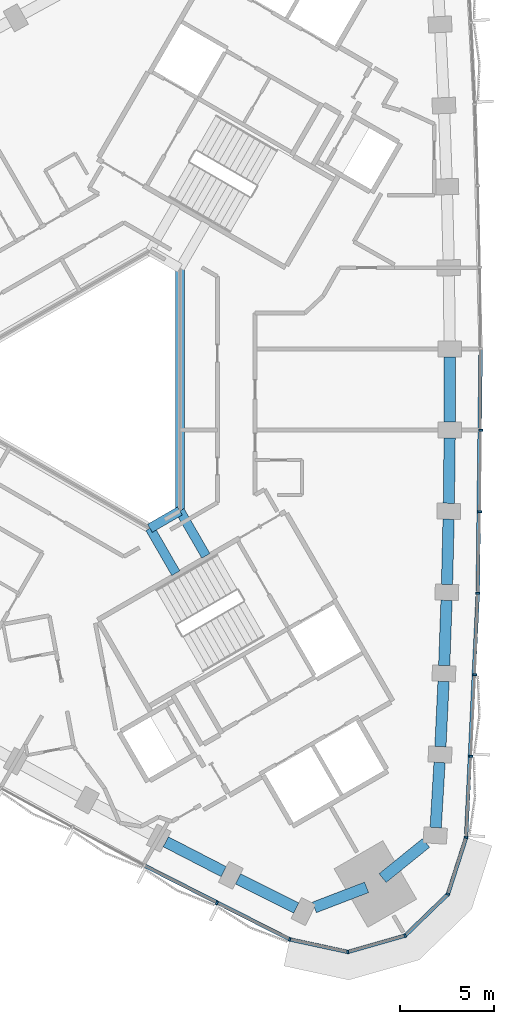
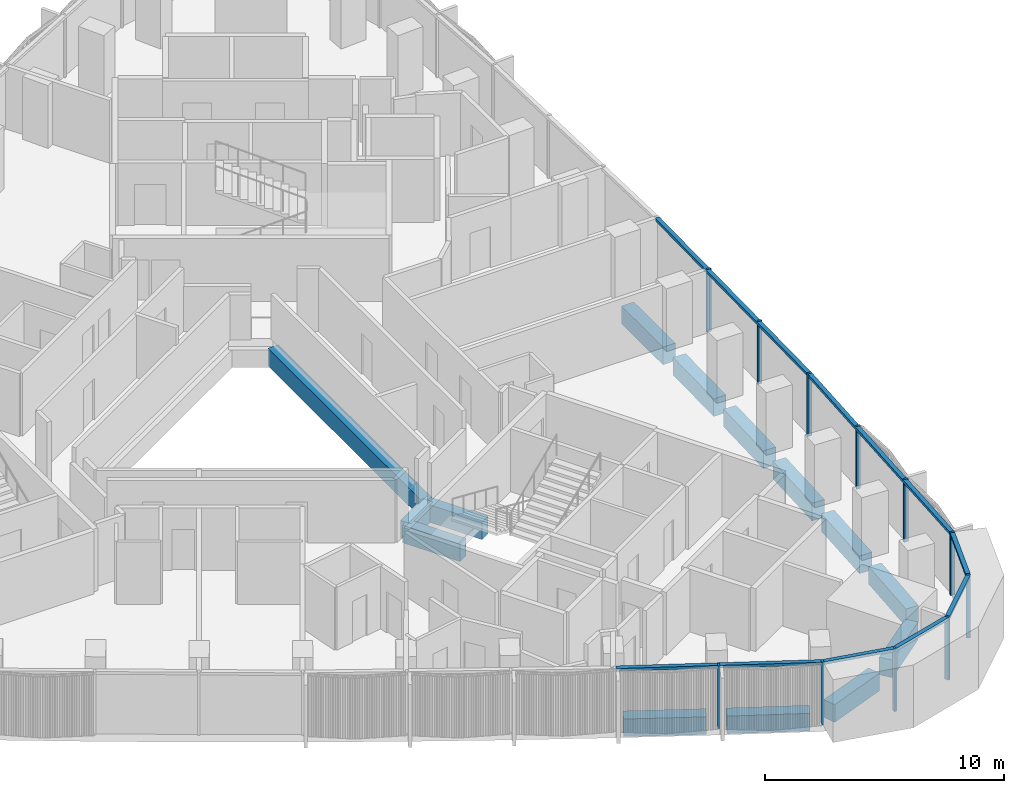
# One storey, part 3 of 15: 18 members, 14 beams, 2 elements without a shape of their own.
"""IFC4 building model written with IfcOpenShell, lengths in metres."""

from ifc_helpers import new_model, si_unit, direction, frame, origin, origin_2d, place, context, subcontext, project, spatial, rectangle, extrude, material, material_profile, profile_set, type_object, element, aggregate, save


model = new_model("IFC4")

# Units and contexts
model_context = context("Model", 3, precision=1e-05, world=origin(), true_north=direction((0.0, 1.0)))
body_context = subcontext(model_context, "Body", "Model", "MODEL_VIEW")
ifc_project = project(units=[si_unit("LENGTHUNIT", "METRE"), si_unit("AREAUNIT", "SQUARE_METRE"), si_unit("VOLUMEUNIT", "CUBIC_METRE"), si_unit("PLANEANGLEUNIT", "RADIAN"), si_unit("MASSUNIT", "GRAM", prefix="KILO")], contexts=[model_context])

# Site, building, storey
site_placement = place(None, origin())
site = spatial("IfcSite", under=ifc_project, at=site_placement, CompositionType="ELEMENT")
building_placement = place(site_placement, origin())
building = spatial("IfcBuilding", under=site, at=building_placement, Name="Tamra Quay Hotel Tower", CompositionType="ELEMENT")
storey_placement = place(building_placement, frame((0.0, 0.0, 136.0)))
storey = spatial("IfcBuildingStorey", under=building, at=storey_placement, Name="L33", CompositionType="ELEMENT", Elevation=136.0)

# Beams
ifc_material_1 = material(Name="Concrete M60", Category="concrete")
ifc_material_profile_1 = material_profile(ifc_material_1, rectangle(XDim=0.5, YDim=0.89990234375, at=origin_2d()), Name="ATRIUM EDGE BEAM RC 500x900")
ifc_profile_set_1 = profile_set([ifc_material_profile_1], Name="Concrete M60")
beam_type_1 = type_object("IfcBeamType", Name="ATRIUM EDGE BEAM RC 500x900", PredefinedType="BEAM", material=ifc_profile_set_1)
beam_1_placement = place(storey_placement, frame((4.800048828125, 6.46630859375, -0.85009765625), z_axis=(0.0, -1.0, 0.0), x_axis=(1.0, 0.0, 0.0)))
element("IfcBeam", 1, at=beam_1_placement, inside=storey, type_object=beam_type_1, Name="BM-AB0-L33", PredefinedType="BEAM", context=body_context, shape_type="SweptSolid", body=[
    extrude(rectangle(XDim=0.5, YDim=0.89990234375, at=origin_2d()), origin(), (0.0, 0.0, 1.0), 12.9326171875),
])
beam_2_placement = place(storey_placement, frame((4.800048828125, -6.46630859375, -0.85009765625), z_axis=(-0.86602275259, -0.500004591975, 0.0), x_axis=(0.500004591975, -0.86602275259, 0.0)))
element("IfcBeam", 2, at=beam_2_placement, inside=storey, type_object=beam_type_1, Name="BM-AB1-L33", PredefinedType="BEAM", context=body_context, shape_type="SweptSolid", body=[
    extrude(rectangle(XDim=0.5, YDim=0.89990234375, at=origin_2d()), origin(), (0.0, 0.0, 1.0), 1.84765625),
])
ifc_material_profile_2 = material_profile(ifc_material_1, rectangle(XDim=0.5, YDim=0.89990234375, at=origin_2d()), Name="ATRIUM TIE BEAM RC 500x900")
ifc_profile_set_2 = profile_set([ifc_material_profile_2], Name="Concrete M60")
beam_type_2 = type_object("IfcBeamType", Name="ATRIUM TIE BEAM RC 500x900", PredefinedType="BEAM", material=ifc_profile_set_2)
for number, where, z_axis, x_axis, name in (
    (3, (4.800048828125, -6.46630859375, -0.85009765625), (0.500008091576, -0.86602073206, 0.0), (0.86602073206, 0.500008091576, 0.0), "BM-TIE-1-L33"),
    (4, (3.199951171875, -7.39013671875, -0.85009765625), (0.500008091576, -0.86602073206, 0.0), (0.86602073206, 0.500008091576, 0.0), "BM-TIE-2-L33"),
):
    element("IfcBeam", number, at=place(storey_placement, frame(where, z_axis=z_axis, x_axis=x_axis)), inside=storey, type_object=beam_type_2, Name=name, PredefinedType="BEAM", context=body_context, shape_type="SweptSolid", body=[
        extrude(rectangle(XDim=0.5, YDim=0.89990234375, at=origin_2d()), origin(), (0.0, 0.0, 1.0), 2.76220703125),
    ])

# Curtain wall, members
ifc_material_2 = material(Name="Aluminium 6063 anodised dark grey", Category="aluminium")
curtain_wall_type_1 = type_object("IfcCurtainWallType", Name="CW1 CURTAIN WALL", PredefinedType="NOTDEFINED", material=ifc_material_2)
curtain_wall_1_placement = place(storey_placement, origin())
curtain_wall_1 = element("IfcCurtainWall", 5, at=curtain_wall_1_placement, inside=storey, type_object=curtain_wall_type_1, Name="CW1 east face L33", PredefinedType="NOTDEFINED")
ifc_material_profile_3 = material_profile(ifc_material_2, rectangle(XDim=0.199951171875, YDim=0.10009765625, at=origin_2d()), Name="MULLION 100X200")
ifc_profile_set_3 = profile_set([ifc_material_profile_3], Name="Aluminium 6063 anodised dark grey")
member_type_1 = type_object("IfcMemberType", Name="MULLION CW1 Z3", PredefinedType="MULLION", material=ifc_profile_set_3)
member_1_placement = place(storey_placement, frame((20.042236328125, -23.864990234375, 0.0), z_axis=(0.0, 0.0, 1.0), x_axis=(0.982883191402, -0.184229834881, 0.0)))
member_1 = element("IfcMember", 6, at=member_1_placement, type_object=member_type_1, Name="CW1 mullion L33.E.1", PredefinedType="MULLION", context=body_context, shape_type="SweptSolid", body=[
    extrude(rectangle(XDim=0.199951171875, YDim=0.10009765625, at=origin_2d()), origin(), (0.0, 0.0, 1.0), 3.199951171875),
])
member_2_placement = place(storey_placement, frame((20.301025390625, -19.53076171875, 0.0), z_axis=(0.0, 0.0, 1.0), x_axis=(0.998557357992, -0.053695463492, 0.0)))
member_2 = element("IfcMember", 7, at=member_2_placement, type_object=member_type_1, Name="CW1 mullion L33.E.2", PredefinedType="MULLION", context=body_context, shape_type="SweptSolid", body=[
    extrude(rectangle(XDim=0.199951171875, YDim=0.10009765625, at=origin_2d()), origin(), (0.0, 0.0, 1.0), 3.199951171875),
])
member_3_placement = place(storey_placement, frame((20.50830078125, -15.19384765625, 0.0), z_axis=(0.0, 0.0, 1.0), x_axis=(0.999126133482, -0.041796762943, 0.0)))
member_3 = element("IfcMember", 8, at=member_3_placement, type_object=member_type_1, Name="CW1 mullion L33.E.3", PredefinedType="MULLION", context=body_context, shape_type="SweptSolid", body=[
    extrude(rectangle(XDim=0.199951171875, YDim=0.10009765625, at=origin_2d()), origin(), (0.0, 0.0, 1.0), 3.199951171875),
])
member_4_placement = place(storey_placement, frame((20.6640625, -10.85400390625, 0.0), z_axis=(0.0, 0.0, 1.0), x_axis=(0.999553759324, -0.029871093397, 0.0)))
member_4 = element("IfcMember", 9, at=member_4_placement, type_object=member_type_1, Name="CW1 mullion L33.E.4", PredefinedType="MULLION", context=body_context, shape_type="SweptSolid", body=[
    extrude(rectangle(XDim=0.199951171875, YDim=0.10009765625, at=origin_2d()), origin(), (0.0, 0.0, 1.0), 3.199951171875),
])
member_5_placement = place(storey_placement, frame((20.767822265625, -6.5126953125, 0.0), z_axis=(0.0, 0.0, 1.0), x_axis=(0.999839299777, -0.017926924493, 0.0)))
member_5 = element("IfcMember", 10, at=member_5_placement, type_object=member_type_1, Name="CW1 mullion L33.E.5", PredefinedType="MULLION", context=body_context, shape_type="SweptSolid", body=[
    extrude(rectangle(XDim=0.199951171875, YDim=0.10009765625, at=origin_2d()), origin(), (0.0, 0.0, 1.0), 3.199951171875),
])
member_6_placement = place(storey_placement, frame((20.81982421875, -2.17138671875, 0.0), z_axis=(0.0, 0.0, 1.0), x_axis=(0.99998212789, -0.005978620244, 0.0)))
member_6 = element("IfcMember", 11, at=member_6_placement, type_object=member_type_1, Name="CW1 mullion L33.E.6", PredefinedType="MULLION", context=body_context, shape_type="SweptSolid", body=[
    extrude(rectangle(XDim=0.199951171875, YDim=0.10009765625, at=origin_2d()), origin(), (0.0, 0.0, 1.0), 3.199951171875),
])

curtain_wall_type_2 = type_object("IfcCurtainWallType", Name="CW3 CURTAIN WALL", PredefinedType="NOTDEFINED", material=ifc_material_2)
curtain_wall_2_placement = place(storey_placement, origin())
curtain_wall_2 = element("IfcCurtainWall", 12, at=curtain_wall_2_placement, inside=storey, type_object=curtain_wall_type_2, Name="CW3 south-west face L33", PredefinedType="NOTDEFINED")
ifc_material_profile_4 = material_profile(ifc_material_2, rectangle(XDim=0.199951171875, YDim=0.10009765625, at=origin_2d()), Name="MULLION 100X200")
ifc_profile_set_4 = profile_set([ifc_material_profile_4], Name="Aluminium 6063 anodised dark grey")
member_type_2 = type_object("IfcMemberType", Name="MULLION CW3 Z3", PredefinedType="MULLION", material=ifc_profile_set_4)
member_7_placement = place(storey_placement, frame((6.763427734375, -27.3466796875, 0.0), z_axis=(0.0, 0.0, 1.0), x_axis=(-0.452777043544, -0.891623770903, 0.0)))
member_7 = element("IfcMember", 13, at=member_7_placement, type_object=member_type_2, Name="CW3 mullion L33.SW.11", PredefinedType="MULLION", context=body_context, shape_type="SweptSolid", body=[
    extrude(rectangle(XDim=0.199951171875, YDim=0.10009765625, at=origin_2d()), origin(), (0.0, 0.0, 1.0), 3.199951171875),
])
member_8_placement = place(storey_placement, frame((10.646728515625, -29.28955078125, 0.0), z_axis=(0.0, 0.0, 1.0), x_axis=(-0.331893878559, -0.943316730147, 0.0)))
member_8 = element("IfcMember", 14, at=member_8_placement, type_object=member_type_2, Name="CW3 mullion L33.SW.12", PredefinedType="MULLION", context=body_context, shape_type="SweptSolid", body=[
    extrude(rectangle(XDim=0.199951171875, YDim=0.10009765625, at=origin_2d()), origin(), (0.0, 0.0, 1.0), 3.199951171875),
])
member_9_placement = place(storey_placement, frame((13.74560546875, -29.958740234375, 0.0), z_axis=(0.0, 0.0, 1.0), x_axis=(0.032727311619, -0.99946431806, 0.0)))
member_9 = element("IfcMember", 15, at=member_9_placement, type_object=member_type_2, Name="CW3 mullion L33.SW.13", PredefinedType="MULLION", context=body_context, shape_type="SweptSolid", body=[
    extrude(rectangle(XDim=0.199951171875, YDim=0.10009765625, at=origin_2d()), origin(), (0.0, 0.0, 1.0), 3.199951171875),
])
member_10_placement = place(storey_placement, frame((16.794189453125, -29.088134765625, 0.0), z_axis=(0.0, 0.0, 1.0), x_axis=(0.5, -0.866025403784, 0.0)))
member_10 = element("IfcMember", 16, at=member_10_placement, type_object=member_type_2, Name="CW3 mullion L33.SW.14", PredefinedType="MULLION", context=body_context, shape_type="SweptSolid", body=[
    extrude(rectangle(XDim=0.199951171875, YDim=0.10009765625, at=origin_2d()), origin(), (0.0, 0.0, 1.0), 3.199951171875),
])
member_11_placement = place(storey_placement, frame((19.072265625, -26.883544921875, 0.0), z_axis=(0.0, 0.0, 1.0), x_axis=(0.849197833806, -0.52807484229, 0.0)))
member_11 = element("IfcMember", 17, at=member_11_placement, type_object=member_type_2, Name="CW3 mullion L33.SW.15", PredefinedType="MULLION", context=body_context, shape_type="SweptSolid", body=[
    extrude(rectangle(XDim=0.199951171875, YDim=0.10009765625, at=origin_2d()), origin(), (0.0, 0.0, 1.0), 3.199951171875),
])

# Beams
ifc_material_profile_5 = material_profile(ifc_material_1, rectangle(XDim=0.60009765625, YDim=0.89990234375, at=origin_2d()), Name="SPANDREL BEAM RC 600x900")
ifc_profile_set_5 = profile_set([ifc_material_profile_5], Name="Concrete M60")
beam_type_3 = type_object("IfcBeamType", Name="SPANDREL BEAM RC 600x900", PredefinedType="SPANDREL", material=ifc_profile_set_5)
beam_3_placement = place(storey_placement, frame((18.422119140625, -23.3330078125, -0.85009765625), z_axis=(0.059620475238, 0.998221117254, 0.0), x_axis=(-0.998221117254, 0.059620475238, 0.0)))
element("IfcBeam", 18, at=beam_3_placement, inside=storey, type_object=beam_type_3, Name="BM-SP3-000-L33", PredefinedType="SPANDREL", context=body_context, shape_type="SweptSolid", body=[
    extrude(rectangle(XDim=0.60009765625, YDim=0.89990234375, at=origin_2d()), origin(), (0.0, 0.0, 1.0), 3.472412109375),
])
beam_4_placement = place(storey_placement, frame((18.6748046875, -19.017822265625, -0.85009765625), z_axis=(0.047732145575, 0.998860171535, 0.0), x_axis=(-0.998860171535, 0.047732145575, 0.0)))
element("IfcBeam", 19, at=beam_4_placement, inside=storey, type_object=beam_type_3, Name="BM-SP3-001-L33", PredefinedType="SPANDREL", context=body_context, shape_type="SweptSolid", body=[
    extrude(rectangle(XDim=0.60009765625, YDim=0.89990234375, at=origin_2d()), origin(), (0.0, 0.0, 1.0), 3.472900390625),
])
beam_5_placement = place(storey_placement, frame((18.876220703125, -14.69970703125, -0.85009765625), z_axis=(0.035786826945, 0.999359446354, 0.0), x_axis=(-0.999359446354, 0.035786826945, 0.0)))
element("IfcBeam", 20, at=beam_5_placement, inside=storey, type_object=beam_type_3, Name="BM-SP3-002-L33", PredefinedType="SPANDREL", context=body_context, shape_type="SweptSolid", body=[
    extrude(rectangle(XDim=0.60009765625, YDim=0.89990234375, at=origin_2d()), origin(), (0.0, 0.0, 1.0), 3.472412109375),
])
beam_6_placement = place(storey_placement, frame((19.02587890625, -10.3798828125, -0.85009765625), z_axis=(0.023906514803, 0.999714198434, 0.0), x_axis=(-0.999714198434, 0.023906514803, 0.0)))
element("IfcBeam", 21, at=beam_6_placement, inside=storey, type_object=beam_type_3, Name="BM-SP3-003-L33", PredefinedType="SPANDREL", context=body_context, shape_type="SweptSolid", body=[
    extrude(rectangle(XDim=0.60009765625, YDim=0.89990234375, at=origin_2d()), origin(), (0.0, 0.0, 1.0), 3.47216796875),
])
beam_7_placement = place(storey_placement, frame((19.124267578125, -6.05859375, -0.85009765625), z_axis=(0.011951617666, 0.999928576867, 0.0), x_axis=(-0.999928576867, 0.011951617666, 0.0)))
element("IfcBeam", 22, at=beam_7_placement, inside=storey, type_object=beam_type_3, Name="BM-SP3-004-L33", PredefinedType="SPANDREL", context=body_context, shape_type="SweptSolid", body=[
    extrude(rectangle(XDim=0.60009765625, YDim=0.89990234375, at=origin_2d()), origin(), (0.0, 0.0, 1.0), 3.47265625),
])
beam_8_placement = place(storey_placement, frame((19.1708984375, -1.736083984375, -0.85009765625), z_axis=(0.0, 1.0, 0.0), x_axis=(-1.0, 0.0, 0.0)))
element("IfcBeam", 23, at=beam_8_placement, inside=storey, type_object=beam_type_3, Name="BM-SP3-005-L33", PredefinedType="SPANDREL", context=body_context, shape_type="SweptSolid", body=[
    extrude(rectangle(XDim=0.60009765625, YDim=0.89990234375, at=origin_2d()), origin(), (0.0, 0.0, 1.0), 3.47216796875),
])
beam_9_placement = place(storey_placement, frame((4.04541015625, -24.0908203125, -0.85009765625), z_axis=(0.888919913451, -0.458062645792, 0.0), x_axis=(0.458062645792, 0.888919913451, 0.0)))
element("IfcBeam", 24, at=beam_9_placement, inside=storey, type_object=beam_type_3, Name="BM-SP3-035-L33", PredefinedType="SPANDREL", context=body_context, shape_type="SweptSolid", body=[
    extrude(rectangle(XDim=0.60009765625, YDim=0.89990234375, at=origin_2d()), origin(), (0.0, 0.0, 1.0), 3.472900390625),
])
beam_10_placement = place(storey_placement, frame((7.890380859375, -26.066650390625, -0.85009765625), z_axis=(0.894314670292, -0.447438566174, 0.0), x_axis=(0.447438566174, 0.894314670292, 0.0)))
element("IfcBeam", 25, at=beam_10_placement, inside=storey, type_object=beam_type_3, Name="BM-SP3-036-L33", PredefinedType="SPANDREL", context=body_context, shape_type="SweptSolid", body=[
    extrude(rectangle(XDim=0.60009765625, YDim=0.89990234375, at=origin_2d()), origin(), (0.0, 0.0, 1.0), 3.472412109375),
])
beam_11_placement = place(storey_placement, frame((11.960693359375, -27.586181640625, -0.85009765625), z_axis=(0.933527198951, 0.358506581278, 0.0), x_axis=(-0.358506581278, 0.933527198951, 0.0)))
element("IfcBeam", 26, at=beam_11_placement, inside=storey, type_object=beam_type_3, Name="BM-SP3-037-L33", PredefinedType="SPANDREL", context=body_context, shape_type="SweptSolid", body=[
    extrude(rectangle(XDim=0.60009765625, YDim=0.89990234375, at=origin_2d()), origin(), (0.0, 0.0, 1.0), 2.97802734375),
])
beam_12_placement = place(storey_placement, frame((15.595703125, -26.02490234375, -0.85009765625), z_axis=(0.777183767602, 0.629273701482, 0.0), x_axis=(-0.629273701482, 0.777183767602, 0.0)))
element("IfcBeam", 27, at=beam_12_placement, inside=storey, type_object=beam_type_3, Name="BM-SP3-038-L33", PredefinedType="SPANDREL", context=body_context, shape_type="SweptSolid", body=[
    extrude(rectangle(XDim=0.60009765625, YDim=0.89990234375, at=origin_2d()), origin(), (0.0, 0.0, 1.0), 2.977783203125),
])

# Member
ifc_material_profile_6 = material_profile(ifc_material_2, rectangle(XDim=0.199951171875, YDim=0.139892578125, at=origin_2d()), Name="TRANSOM 200X140")
ifc_profile_set_6 = profile_set([ifc_material_profile_6], Name="Aluminium 6063 anodised dark grey")
member_type_3 = type_object("IfcMemberType", Name="TRANSOM CW1 Z3", PredefinedType="USERDEFINED", material=ifc_profile_set_6)
member_12_placement = place(storey_placement, frame((20.045166015625, -23.815185546875, 3.1298828125), z_axis=(0.047748214434, 0.998859403529, 0.0), x_axis=(-0.998859403529, 0.047748214434, 0.0)))
member_12 = element("IfcMember", 28, at=member_12_placement, type_object=member_type_3, Name="CW1 transom L33.E.1", ObjectType="TRANSOM", PredefinedType="USERDEFINED", context=body_context, shape_type="SweptSolid", body=[
    extrude(rectangle(XDim=0.199951171875, YDim=0.139892578125, at=origin_2d()), origin(), (0.0, 0.0, 1.0), 12.92578125),
])

member_13_placement = place(storey_placement, frame((20.665283203125, -10.80419921875, 3.1298828125), z_axis=(0.011955400346, 0.999928531647, 0.0), x_axis=(-0.999928531647, 0.011955400346, 0.0)))
member_13 = element("IfcMember", 29, at=member_13_placement, type_object=member_type_3, Name="CW1 transom L33.E.4", ObjectType="TRANSOM", PredefinedType="USERDEFINED", context=body_context, shape_type="SweptSolid", body=[
    extrude(rectangle(XDim=0.199951171875, YDim=0.139892578125, at=origin_2d()), origin(), (0.0, 0.0, 1.0), 12.926513671875),
])

aggregate(curtain_wall_1, [member_1, member_12, member_2, member_3, member_4, member_13, member_5, member_6])

ifc_material_profile_7 = material_profile(ifc_material_2, rectangle(XDim=0.199951171875, YDim=0.139892578125, at=origin_2d()), Name="TRANSOM 200X140")
ifc_profile_set_7 = profile_set([ifc_material_profile_7], Name="Aluminium 6063 anodised dark grey")
member_type_4 = type_object("IfcMemberType", Name="TRANSOM CW3 Z3", PredefinedType="USERDEFINED", material=ifc_profile_set_7)
member_14_placement = place(storey_placement, frame((2.948486328125, -25.380615234375, 3.1298828125), z_axis=(0.891628261752, -0.452768199905, 0.0), x_axis=(0.452768199905, 0.891628261752, 0.0)))
member_14 = element("IfcMember", 30, at=member_14_placement, type_object=member_type_4, Name="CW3 transom L33.SW.10", ObjectType="TRANSOM", PredefinedType="USERDEFINED", context=body_context, shape_type="SweptSolid", body=[
    extrude(rectangle(XDim=0.199951171875, YDim=0.139892578125, at=origin_2d()), origin(), (0.0, 0.0, 1.0), 8.583740234375),
])

member_15_placement = place(storey_placement, frame((10.695556640625, -29.300048828125, 3.1298828125), z_axis=(0.977462525021, -0.211109005445, 0.0), x_axis=(0.211109005445, 0.977462525021, 0.0)))
member_15 = element("IfcMember", 31, at=member_15_placement, type_object=member_type_4, Name="CW3 transom L33.SW.12", ObjectType="TRANSOM", PredefinedType="USERDEFINED", context=body_context, shape_type="SweptSolid", body=[
    extrude(rectangle(XDim=0.199951171875, YDim=0.139892578125, at=origin_2d()), origin(), (0.0, 0.0, 1.0), 3.0703125),
])

member_16_placement = place(storey_placement, frame((13.793701171875, -29.945068359375, 3.1298828125), z_axis=(0.961568942949, 0.274563595469, 0.0), x_axis=(-0.274563595469, 0.961568942949, 0.0)))
member_16 = element("IfcMember", 32, at=member_16_placement, type_object=member_type_4, Name="CW3 transom L33.SW.13", ObjectType="TRANSOM", PredefinedType="USERDEFINED", context=body_context, shape_type="SweptSolid", body=[
    extrude(rectangle(XDim=0.199951171875, YDim=0.139892578125, at=origin_2d()), origin(), (0.0, 0.0, 1.0), 3.0703125),
])

member_17_placement = place(storey_placement, frame((16.830078125, -29.053466796875, 3.1298828125), z_axis=(0.71858163235, 0.695442619955, 0.0), x_axis=(-0.695442619955, 0.71858163235, 0.0)))
member_17 = element("IfcMember", 33, at=member_17_placement, type_object=member_type_4, Name="CW3 transom L33.SW.14", ObjectType="TRANSOM", PredefinedType="USERDEFINED", context=body_context, shape_type="SweptSolid", body=[
    extrude(rectangle(XDim=0.199951171875, YDim=0.139892578125, at=origin_2d()), origin(), (0.0, 0.0, 1.0), 3.0703125),
])

member_18_placement = place(storey_placement, frame((19.087646484375, -26.8359375, 3.1298828125), z_axis=(0.30588048859, 0.952069916918, 0.0), x_axis=(-0.952069916918, 0.30588048859, 0.0)))
member_18 = element("IfcMember", 34, at=member_18_placement, type_object=member_type_4, Name="CW3 transom L33.SW.15", ObjectType="TRANSOM", PredefinedType="USERDEFINED", context=body_context, shape_type="SweptSolid", body=[
    extrude(rectangle(XDim=0.199951171875, YDim=0.139892578125, at=origin_2d()), origin(), (0.0, 0.0, 1.0), 3.070556640625),
])

aggregate(curtain_wall_2, [member_14, member_7, member_8, member_15, member_9, member_16, member_10, member_17, member_11, member_18])

save(model, "model.ifc")
